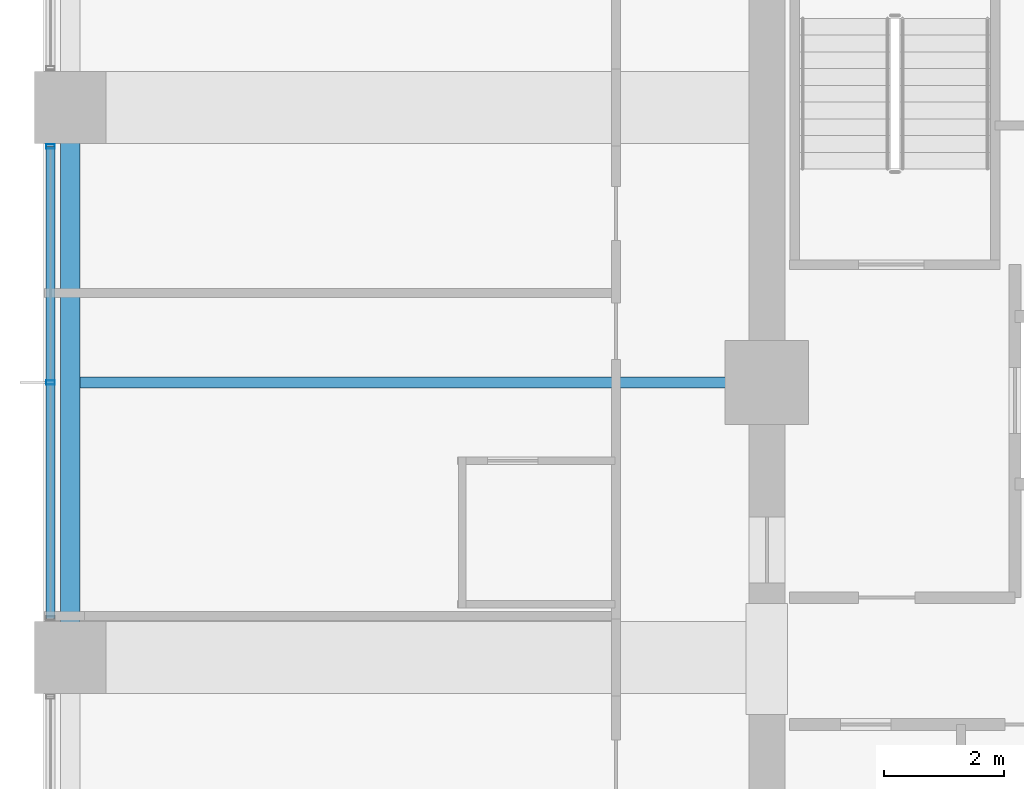
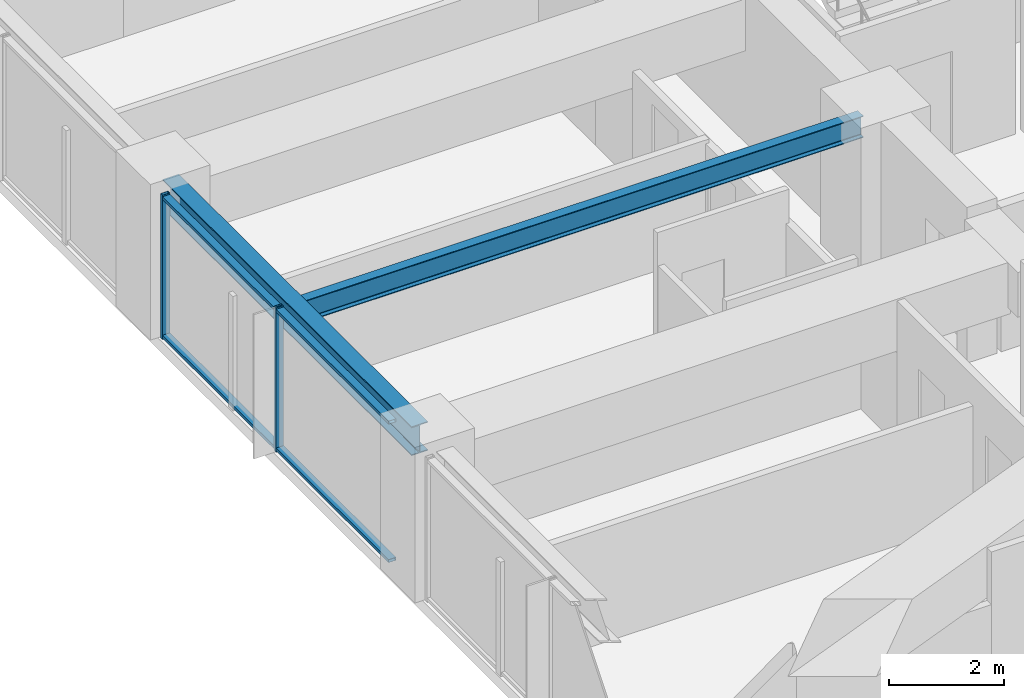
# One storey, part 9 of 37: 4 members, 2 beams, 1 element without a shape of its own.
"""IFC4 building model written with IfcOpenShell, lengths in metres."""

from ifc_helpers import new_model, si_unit, direction, frame, origin, origin_2d, place, context, subcontext, project, spatial, hollow_rectangle, i_section, extrude, material, material_profile, profile_set, type_object, element, aggregate, save


model = new_model("IFC4")

# Units and contexts
model_context = context("Model", 3, precision=1e-05, world=origin(), true_north=direction((0.0, 1.0)))
body_context = subcontext(model_context, "Body", "Model", "MODEL_VIEW")
ifc_project = project(units=[si_unit("LENGTHUNIT", "METRE"), si_unit("AREAUNIT", "SQUARE_METRE"), si_unit("VOLUMEUNIT", "CUBIC_METRE"), si_unit("PLANEANGLEUNIT", "RADIAN"), si_unit("MASSUNIT", "GRAM", prefix="KILO")], contexts=[model_context])

# Site, building, storey
site_placement = place(None, origin())
site = spatial("IfcSite", under=ifc_project, at=site_placement, CompositionType="ELEMENT")
building_placement = place(site_placement, origin())
building = spatial("IfcBuilding", under=site, at=building_placement, Name="Kolvaren Belvedere", CompositionType="ELEMENT")
storey_placement = place(building_placement, frame((0.0, 0.0, 37.0)))
storey = spatial("IfcBuildingStorey", under=building, at=storey_placement, Name="L10", CompositionType="ELEMENT", Elevation=37.0)

# Beams
ifc_material_1 = material(Name="Structural steel ASTM A992 Grade 50", Category="steel")
ifc_material_profile_1 = material_profile(ifc_material_1, i_section(OverallWidth=0.19091796875, OverallDepth=0.4599609375, WebThickness=0.010009765625, FlangeThickness=0.01611328125, FilletRadius=0.014892578125, at=origin_2d()), Name="W18X55")
ifc_profile_set_1 = profile_set([ifc_material_profile_1], Name="Structural steel ASTM A992 Grade 50")
beam_type_1 = type_object("IfcBeamType", Name="BM-JOIST-W18X55", PredefinedType="BEAM", material=ifc_profile_set_1)
beam_1_placement = place(storey_placement, frame((-10.199951171875, 0.0, 2.830078125), z_axis=(-1.0, 0.0, 0.0), x_axis=(0.0, -1.0, 0.0)))
element("IfcBeam", 1, at=beam_1_placement, inside=storey, type_object=beam_type_1, Name="L10 West Centre Floor Beam", PredefinedType="BEAM", context=body_context, shape_type="SweptSolid", body=[
    extrude(i_section(OverallWidth=0.19091796875, OverallDepth=0.4599609375, WebThickness=0.010009765625, FlangeThickness=0.01611328125, FilletRadius=0.014892578125, at=origin_2d()), origin(), (0.0, 0.0, 1.0), 11.1875),
])
ifc_material_2 = material(Name="Structural steel ASTM A992 Grade 50", Category="steel")
ifc_material_profile_2 = material_profile(ifc_material_2, i_section(OverallWidth=0.324951171875, OverallDepth=0.615966796875, WebThickness=0.013916015625, FlangeThickness=0.021484375, FilletRadius=0.02001953125, at=origin_2d()), Name="W24X117")
ifc_profile_set_2 = profile_set([ifc_material_profile_2], Name="Structural steel ASTM A992 Grade 50")
beam_type_2 = type_object("IfcBeamType", Name="BM-SPAN-W24X117", PredefinedType="SPANDREL", material=ifc_profile_set_2)
beam_2_placement = place(storey_placement, frame((-21.550048828125, 4.330078125, 2.751953125), z_axis=(0.0, -1.0, 0.0), x_axis=(1.0, 0.0, 0.0)))
element("IfcBeam", 2, at=beam_2_placement, inside=storey, type_object=beam_type_2, Name="L10 Perimeter Spandrel W3-W2", PredefinedType="SPANDREL", context=body_context, shape_type="SweptSolid", body=[
    extrude(i_section(OverallWidth=0.324951171875, OverallDepth=0.615966796875, WebThickness=0.013916015625, FlangeThickness=0.021484375, FilletRadius=0.02001953125, at=origin_2d()), origin(), (0.0, 0.0, 1.0), 8.66015625),
])

# Curtain wall, members
ifc_material_3 = material(Name="Anodised pale-metal aluminium AA 6063-T6", Category="aluminium")
curtain_wall_type = type_object("IfcCurtainWallType", Name="CW-Z1-LOW", PredefinedType="NOTDEFINED", material=ifc_material_3)
curtain_wall_placement = place(storey_placement, origin())
curtain_wall = element("IfcCurtainWall", 3, at=curtain_wall_placement, inside=storey, type_object=curtain_wall_type, Name="L10 Unitised Curtain Wall FCW-L10-W-B2", PredefinedType="NOTDEFINED")
ifc_material_4 = material(Name="Anodised pale-metal aluminium AA 6063-T6", Category="aluminium")
ifc_material_profile_3 = material_profile(ifc_material_4, hollow_rectangle(XDim=0.070068359375, YDim=0.14990234375, WallThickness=0.004150390625, at=origin_2d()), Name="ALU-MUL-150X70")
ifc_profile_set_3 = profile_set([ifc_material_profile_3], Name="Anodised pale-metal aluminium AA 6063-T6")
member_type_1 = type_object("IfcMemberType", Name="CW-MUL-150", PredefinedType="MULLION", material=ifc_profile_set_3)
member_1_placement = place(storey_placement, frame((-21.8798828125, 0.0, 0.0), z_axis=(0.0, 0.0, 1.0), x_axis=(0.0, 1.0, 0.0)))
member_1 = element("IfcMember", 4, at=member_1_placement, type_object=member_type_1, Name="FCW-L10-W-B2 Unitised Mullion 2", PredefinedType="MULLION", context=body_context, shape_type="SweptSolid", body=[
    extrude(hollow_rectangle(XDim=0.070068359375, YDim=0.14990234375, WallThickness=0.004150390625, at=origin_2d()), origin(), (0.0, 0.0, 1.0), 3.06005859375),
])
member_2_placement = place(storey_placement, frame((-21.8798828125, 3.945068359375, 0.0), z_axis=(0.0, 0.0, 1.0), x_axis=(0.0, 1.0, 0.0)))
member_2 = element("IfcMember", 5, at=member_2_placement, type_object=member_type_1, Name="FCW-L10-W-B2 Unitised Mullion 3", PredefinedType="MULLION", context=body_context, shape_type="SweptSolid", body=[
    extrude(hollow_rectangle(XDim=0.070068359375, YDim=0.14990234375, WallThickness=0.004150390625, at=origin_2d()), origin(), (0.0, 0.0, 1.0), 3.06005859375),
])
ifc_material_5 = material(Name="Anodised pale-metal aluminium AA 6063-T6", Category="aluminium")
ifc_material_profile_4 = material_profile(ifc_material_5, hollow_rectangle(XDim=0.06494140625, YDim=0.14990234375, WallThickness=0.00390625, at=origin_2d()), Name="ALU-TRN-150X65")
ifc_profile_set_4 = profile_set([ifc_material_profile_4], Name="Anodised pale-metal aluminium AA 6063-T6")
member_type_2 = type_object("IfcMemberType", Name="CW-TRN-150", PredefinedType="USERDEFINED", material=ifc_profile_set_4)
member_3_placement = place(storey_placement, frame((-21.8798828125, -3.945068359375, 0.06005859375), z_axis=(0.0, 1.0, 0.0), x_axis=(0.0, 0.0, 1.0)))
member_3 = element("IfcMember", 6, at=member_3_placement, type_object=member_type_2, Name="FCW-L10-W-B2 Sill Transom", ObjectType="TRANSOM", PredefinedType="USERDEFINED", context=body_context, shape_type="SweptSolid", body=[
    extrude(hollow_rectangle(XDim=0.06494140625, YDim=0.14990234375, WallThickness=0.00390625, at=origin_2d()), origin(), (0.0, 0.0, 1.0), 7.89013671875),
])
member_4_placement = place(storey_placement, frame((-21.8798828125, -3.945068359375, 3.0), z_axis=(0.0, 1.0, 0.0), x_axis=(0.0, 0.0, 1.0)))
member_4 = element("IfcMember", 7, at=member_4_placement, type_object=member_type_2, Name="FCW-L10-W-B2 Head Transom", ObjectType="TRANSOM", PredefinedType="USERDEFINED", context=body_context, shape_type="SweptSolid", body=[
    extrude(hollow_rectangle(XDim=0.06494140625, YDim=0.14990234375, WallThickness=0.00390625, at=origin_2d()), origin(), (0.0, 0.0, 1.0), 7.89013671875),
])
aggregate(curtain_wall, [member_1, member_2, member_3, member_4])

save(model, "model.ifc")
